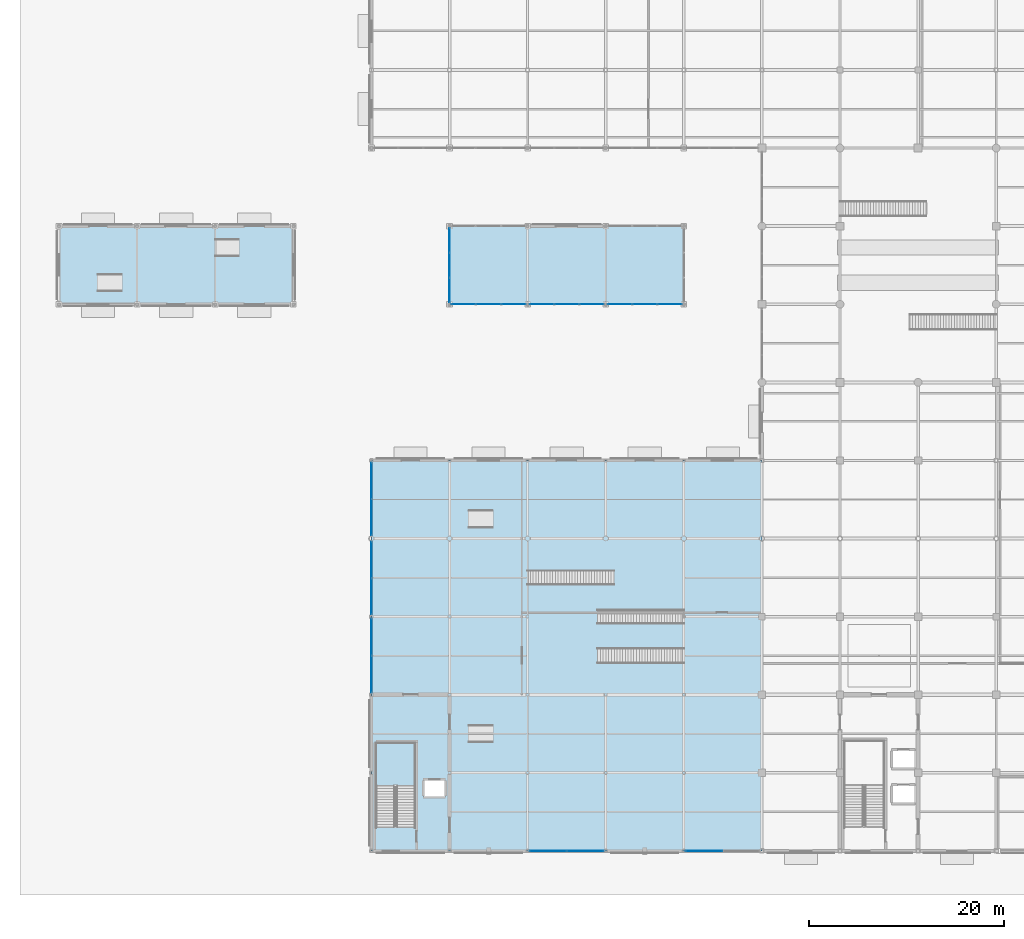
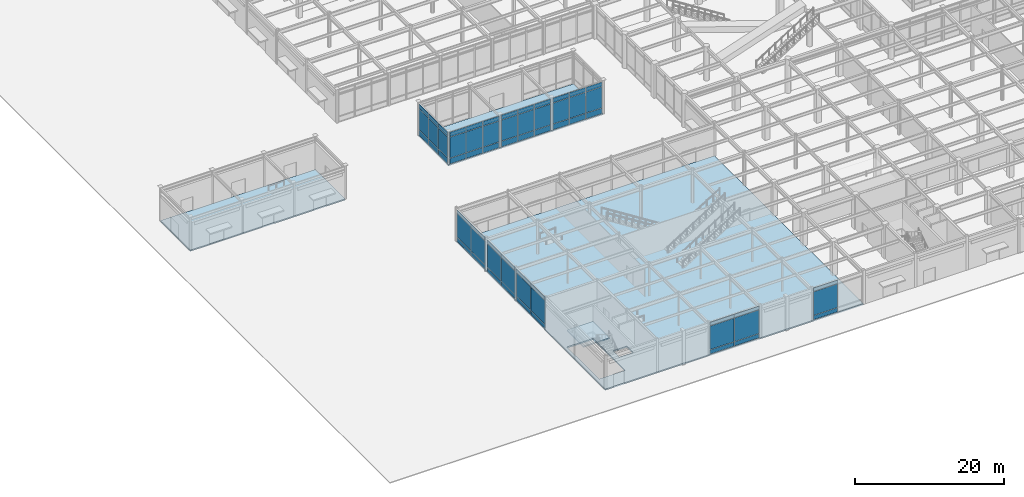
# One storey, part 94 of 128: 63 plates, 4 slabs, 10 elements without a shape of their own.
"""IFC4 building model written with IfcOpenShell, lengths in metres."""

from ifc_helpers import new_model, si_unit, direction, frame, origin, origin_2d, place, context, subcontext, project, spatial, polyline, rectangle, outline, extrude, material, layer, layer_set, type_object, element, aggregate, save


model = new_model("IFC4")

# Units and contexts
model_context = context("Model", 3, precision=1e-05, world=origin(), true_north=direction((0.0, 1.0)))
body_context = subcontext(model_context, "Body", "Model", "MODEL_VIEW")
ifc_project = project(units=[si_unit("LENGTHUNIT", "METRE"), si_unit("AREAUNIT", "SQUARE_METRE"), si_unit("VOLUMEUNIT", "CUBIC_METRE"), si_unit("PLANEANGLEUNIT", "RADIAN"), si_unit("MASSUNIT", "GRAM", prefix="KILO")], contexts=[model_context])

# Site, building, storey
site_placement = place(None, origin())
site = spatial("IfcSite", under=ifc_project, at=site_placement, CompositionType="ELEMENT")
building_placement = place(site_placement, origin())
building = spatial("IfcBuilding", under=site, at=building_placement, Name="Solmirada Galleria", CompositionType="ELEMENT")
storey_placement = place(building_placement, origin())
storey = spatial("IfcBuildingStorey", under=building, at=storey_placement, Name="L00", CompositionType="ELEMENT", Elevation=0.0)

# Curtain wall, plates
ifc_material_1 = material(Name="Impact-resistant low-E double glazing", Category="glass")
curtain_wall_type_1 = type_object("IfcCurtainWallType", Name="CW-FZ5-L00-B3-L077", PredefinedType="NOTDEFINED", material=ifc_material_1)
curtain_wall_1_placement = place(storey_placement, origin())
curtain_wall_1 = element("IfcCurtainWall", 1, at=curtain_wall_1_placement, inside=storey, type_object=curtain_wall_type_1, Name="Terrace and arcade storefront CW-L00-032", PredefinedType="NOTDEFINED")
ifc_layer_1 = layer(ifc_material_1, 0.048095703125)
ifc_layer_set_1 = layer_set([ifc_layer_1], Name="Impact-resistant low-E double glazing")
plate_type_1 = type_object("IfcPlateType", Name="CW-PNL-CW08-T48", PredefinedType="CURTAIN_PANEL", material=ifc_layer_set_1)
plate_1_placement = place(storey_placement, frame((70.563232421875, 56.0, 0.06494140625), z_axis=(0.0, 0.0, 1.0), x_axis=(-1.0, 0.0, 0.0)))
plate_1 = element("IfcPlate", 2, at=plate_1_placement, type_object=plate_type_1, Name="CW08 panel 1.1", PredefinedType="CURTAIN_PANEL", context=body_context, shape_type="SweptSolid", body=[
    extrude(rectangle(XDim=2.4755859375, YDim=0.048095703125, at=origin_2d()), origin(), (0.0, 0.0, 1.0), 0.902587890625),
])
plate_2_placement = place(storey_placement, frame((70.563232421875, 56.0, 1.032470703125), z_axis=(0.0, 0.0, 1.0), x_axis=(-1.0, 0.0, 0.0)))
plate_2 = element("IfcPlate", 3, at=plate_2_placement, type_object=plate_type_1, Name="CW08 panel 1.2", PredefinedType="CURTAIN_PANEL", context=body_context, shape_type="SweptSolid", body=[
    extrude(rectangle(XDim=2.4755859375, YDim=0.048095703125, at=origin_2d()), origin(), (0.0, 0.0, 1.0), 3.39501953125),
])
plate_3_placement = place(storey_placement, frame((70.563232421875, 56.0, 4.49267578125), z_axis=(0.0, 0.0, 1.0), x_axis=(-1.0, 0.0, 0.0)))
plate_3 = element("IfcPlate", 4, at=plate_3_placement, type_object=plate_type_1, Name="CW08 panel 1.3", PredefinedType="CURTAIN_PANEL", context=body_context, shape_type="SweptSolid", body=[
    extrude(rectangle(XDim=2.4755859375, YDim=0.048095703125, at=origin_2d()), origin(), (0.0, 0.0, 1.0), 0.762451171875),
])
plate_4_placement = place(storey_placement, frame((68.0, 56.0, 0.06494140625), z_axis=(0.0, 0.0, 1.0), x_axis=(-1.0, 0.0, 0.0)))
plate_4 = element("IfcPlate", 5, at=plate_4_placement, type_object=plate_type_1, Name="CW08 panel 2.1", PredefinedType="CURTAIN_PANEL", context=body_context, shape_type="SweptSolid", body=[
    extrude(rectangle(XDim=2.5107421875, YDim=0.048095703125, at=origin_2d()), origin(), (0.0, 0.0, 1.0), 0.902587890625),
])
plate_5_placement = place(storey_placement, frame((68.0, 56.0, 1.032470703125), z_axis=(0.0, 0.0, 1.0), x_axis=(-1.0, 0.0, 0.0)))
plate_5 = element("IfcPlate", 6, at=plate_5_placement, type_object=plate_type_1, Name="CW08 panel 2.2", PredefinedType="CURTAIN_PANEL", context=body_context, shape_type="SweptSolid", body=[
    extrude(rectangle(XDim=2.5107421875, YDim=0.048095703125, at=origin_2d()), origin(), (0.0, 0.0, 1.0), 3.39501953125),
])
plate_6_placement = place(storey_placement, frame((68.0, 56.0, 4.49267578125), z_axis=(0.0, 0.0, 1.0), x_axis=(-1.0, 0.0, 0.0)))
plate_6 = element("IfcPlate", 7, at=plate_6_placement, type_object=plate_type_1, Name="CW08 panel 2.3", PredefinedType="CURTAIN_PANEL", context=body_context, shape_type="SweptSolid", body=[
    extrude(rectangle(XDim=2.5107421875, YDim=0.048095703125, at=origin_2d()), origin(), (0.0, 0.0, 1.0), 0.762451171875),
])
plate_7_placement = place(storey_placement, frame((65.436767578125, 56.0, 0.06494140625), z_axis=(0.0, 0.0, 1.0), x_axis=(-1.0, 0.0, 0.0)))
plate_7 = element("IfcPlate", 8, at=plate_7_placement, type_object=plate_type_1, Name="CW08 panel 3.1", PredefinedType="CURTAIN_PANEL", context=body_context, shape_type="SweptSolid", body=[
    extrude(rectangle(XDim=2.4755859375, YDim=0.048095703125, at=origin_2d()), origin(), (0.0, 0.0, 1.0), 0.902587890625),
])
plate_8_placement = place(storey_placement, frame((65.436767578125, 56.0, 1.032470703125), z_axis=(0.0, 0.0, 1.0), x_axis=(-1.0, 0.0, 0.0)))
plate_8 = element("IfcPlate", 9, at=plate_8_placement, type_object=plate_type_1, Name="CW08 panel 3.2", PredefinedType="CURTAIN_PANEL", context=body_context, shape_type="SweptSolid", body=[
    extrude(rectangle(XDim=2.4755859375, YDim=0.048095703125, at=origin_2d()), origin(), (0.0, 0.0, 1.0), 3.39501953125),
])
plate_9_placement = place(storey_placement, frame((65.436767578125, 56.0, 4.49267578125), z_axis=(0.0, 0.0, 1.0), x_axis=(-1.0, 0.0, 0.0)))
plate_9 = element("IfcPlate", 10, at=plate_9_placement, type_object=plate_type_1, Name="CW08 panel 3.3", PredefinedType="CURTAIN_PANEL", context=body_context, shape_type="SweptSolid", body=[
    extrude(rectangle(XDim=2.4755859375, YDim=0.048095703125, at=origin_2d()), origin(), (0.0, 0.0, 1.0), 0.762451171875),
])
aggregate(curtain_wall_1, [plate_1, plate_2, plate_3, plate_4, plate_5, plate_6, plate_7, plate_8, plate_9])

curtain_wall_2_placement = place(storey_placement, origin())
curtain_wall_2 = element("IfcCurtainWall", 11, at=curtain_wall_2_placement, inside=storey, type_object=curtain_wall_type_1, Name="Terrace and arcade storefront CW-L00-033", PredefinedType="NOTDEFINED")
plate_10_placement = place(storey_placement, frame((62.563232421875, 56.0, 0.06494140625), z_axis=(0.0, 0.0, 1.0), x_axis=(-1.0, 0.0, 0.0)))
plate_10 = element("IfcPlate", 12, at=plate_10_placement, type_object=plate_type_1, Name="CW08 panel 1.1", PredefinedType="CURTAIN_PANEL", context=body_context, shape_type="SweptSolid", body=[
    extrude(rectangle(XDim=2.4755859375, YDim=0.048095703125, at=origin_2d()), origin(), (0.0, 0.0, 1.0), 0.902587890625),
])
plate_11_placement = place(storey_placement, frame((62.563232421875, 56.0, 1.032470703125), z_axis=(0.0, 0.0, 1.0), x_axis=(-1.0, 0.0, 0.0)))
plate_11 = element("IfcPlate", 13, at=plate_11_placement, type_object=plate_type_1, Name="CW08 panel 1.2", PredefinedType="CURTAIN_PANEL", context=body_context, shape_type="SweptSolid", body=[
    extrude(rectangle(XDim=2.4755859375, YDim=0.048095703125, at=origin_2d()), origin(), (0.0, 0.0, 1.0), 3.39501953125),
])
plate_12_placement = place(storey_placement, frame((62.563232421875, 56.0, 4.49267578125), z_axis=(0.0, 0.0, 1.0), x_axis=(-1.0, 0.0, 0.0)))
plate_12 = element("IfcPlate", 14, at=plate_12_placement, type_object=plate_type_1, Name="CW08 panel 1.3", PredefinedType="CURTAIN_PANEL", context=body_context, shape_type="SweptSolid", body=[
    extrude(rectangle(XDim=2.4755859375, YDim=0.048095703125, at=origin_2d()), origin(), (0.0, 0.0, 1.0), 0.762451171875),
])
plate_13_placement = place(storey_placement, frame((60.0, 56.0, 0.06494140625), z_axis=(0.0, 0.0, 1.0), x_axis=(-1.0, 0.0, 0.0)))
plate_13 = element("IfcPlate", 15, at=plate_13_placement, type_object=plate_type_1, Name="CW08 panel 2.1", PredefinedType="CURTAIN_PANEL", context=body_context, shape_type="SweptSolid", body=[
    extrude(rectangle(XDim=2.5107421875, YDim=0.048095703125, at=origin_2d()), origin(), (0.0, 0.0, 1.0), 0.902587890625),
])
plate_14_placement = place(storey_placement, frame((60.0, 56.0, 1.032470703125), z_axis=(0.0, 0.0, 1.0), x_axis=(-1.0, 0.0, 0.0)))
plate_14 = element("IfcPlate", 16, at=plate_14_placement, type_object=plate_type_1, Name="CW08 panel 2.2", PredefinedType="CURTAIN_PANEL", context=body_context, shape_type="SweptSolid", body=[
    extrude(rectangle(XDim=2.5107421875, YDim=0.048095703125, at=origin_2d()), origin(), (0.0, 0.0, 1.0), 3.39501953125),
])
plate_15_placement = place(storey_placement, frame((60.0, 56.0, 4.49267578125), z_axis=(0.0, 0.0, 1.0), x_axis=(-1.0, 0.0, 0.0)))
plate_15 = element("IfcPlate", 17, at=plate_15_placement, type_object=plate_type_1, Name="CW08 panel 2.3", PredefinedType="CURTAIN_PANEL", context=body_context, shape_type="SweptSolid", body=[
    extrude(rectangle(XDim=2.5107421875, YDim=0.048095703125, at=origin_2d()), origin(), (0.0, 0.0, 1.0), 0.762451171875),
])
plate_16_placement = place(storey_placement, frame((57.436767578125, 56.0, 0.06494140625), z_axis=(0.0, 0.0, 1.0), x_axis=(-1.0, 0.0, 0.0)))
plate_16 = element("IfcPlate", 18, at=plate_16_placement, type_object=plate_type_1, Name="CW08 panel 3.1", PredefinedType="CURTAIN_PANEL", context=body_context, shape_type="SweptSolid", body=[
    extrude(rectangle(XDim=2.4755859375, YDim=0.048095703125, at=origin_2d()), origin(), (0.0, 0.0, 1.0), 0.902587890625),
])
plate_17_placement = place(storey_placement, frame((57.436767578125, 56.0, 1.032470703125), z_axis=(0.0, 0.0, 1.0), x_axis=(-1.0, 0.0, 0.0)))
plate_17 = element("IfcPlate", 19, at=plate_17_placement, type_object=plate_type_1, Name="CW08 panel 3.2", PredefinedType="CURTAIN_PANEL", context=body_context, shape_type="SweptSolid", body=[
    extrude(rectangle(XDim=2.4755859375, YDim=0.048095703125, at=origin_2d()), origin(), (0.0, 0.0, 1.0), 3.39501953125),
])
plate_18_placement = place(storey_placement, frame((57.436767578125, 56.0, 4.49267578125), z_axis=(0.0, 0.0, 1.0), x_axis=(-1.0, 0.0, 0.0)))
plate_18 = element("IfcPlate", 20, at=plate_18_placement, type_object=plate_type_1, Name="CW08 panel 3.3", PredefinedType="CURTAIN_PANEL", context=body_context, shape_type="SweptSolid", body=[
    extrude(rectangle(XDim=2.4755859375, YDim=0.048095703125, at=origin_2d()), origin(), (0.0, 0.0, 1.0), 0.762451171875),
])
aggregate(curtain_wall_2, [plate_10, plate_11, plate_12, plate_13, plate_14, plate_15, plate_16, plate_17, plate_18])

curtain_wall_3_placement = place(storey_placement, origin())
curtain_wall_3 = element("IfcCurtainWall", 21, at=curtain_wall_3_placement, inside=storey, type_object=curtain_wall_type_1, Name="Terrace and arcade storefront CW-L00-034", PredefinedType="NOTDEFINED")
plate_19_placement = place(storey_placement, frame((54.563232421875, 56.0, 0.06494140625), z_axis=(0.0, 0.0, 1.0), x_axis=(-1.0, 0.0, 0.0)))
plate_19 = element("IfcPlate", 22, at=plate_19_placement, type_object=plate_type_1, Name="CW08 panel 1.1", PredefinedType="CURTAIN_PANEL", context=body_context, shape_type="SweptSolid", body=[
    extrude(rectangle(XDim=2.4755859375, YDim=0.048095703125, at=origin_2d()), origin(), (0.0, 0.0, 1.0), 0.902587890625),
])
plate_20_placement = place(storey_placement, frame((54.563232421875, 56.0, 1.032470703125), z_axis=(0.0, 0.0, 1.0), x_axis=(-1.0, 0.0, 0.0)))
plate_20 = element("IfcPlate", 23, at=plate_20_placement, type_object=plate_type_1, Name="CW08 panel 1.2", PredefinedType="CURTAIN_PANEL", context=body_context, shape_type="SweptSolid", body=[
    extrude(rectangle(XDim=2.4755859375, YDim=0.048095703125, at=origin_2d()), origin(), (0.0, 0.0, 1.0), 3.39501953125),
])
plate_21_placement = place(storey_placement, frame((54.563232421875, 56.0, 4.49267578125), z_axis=(0.0, 0.0, 1.0), x_axis=(-1.0, 0.0, 0.0)))
plate_21 = element("IfcPlate", 24, at=plate_21_placement, type_object=plate_type_1, Name="CW08 panel 1.3", PredefinedType="CURTAIN_PANEL", context=body_context, shape_type="SweptSolid", body=[
    extrude(rectangle(XDim=2.4755859375, YDim=0.048095703125, at=origin_2d()), origin(), (0.0, 0.0, 1.0), 0.762451171875),
])
plate_22_placement = place(storey_placement, frame((52.0, 56.0, 0.06494140625), z_axis=(0.0, 0.0, 1.0), x_axis=(-1.0, 0.0, 0.0)))
plate_22 = element("IfcPlate", 25, at=plate_22_placement, type_object=plate_type_1, Name="CW08 panel 2.1", PredefinedType="CURTAIN_PANEL", context=body_context, shape_type="SweptSolid", body=[
    extrude(rectangle(XDim=2.5107421875, YDim=0.048095703125, at=origin_2d()), origin(), (0.0, 0.0, 1.0), 0.902587890625),
])
plate_23_placement = place(storey_placement, frame((52.0, 56.0, 1.032470703125), z_axis=(0.0, 0.0, 1.0), x_axis=(-1.0, 0.0, 0.0)))
plate_23 = element("IfcPlate", 26, at=plate_23_placement, type_object=plate_type_1, Name="CW08 panel 2.2", PredefinedType="CURTAIN_PANEL", context=body_context, shape_type="SweptSolid", body=[
    extrude(rectangle(XDim=2.5107421875, YDim=0.048095703125, at=origin_2d()), origin(), (0.0, 0.0, 1.0), 3.39501953125),
])
plate_24_placement = place(storey_placement, frame((52.0, 56.0, 4.49267578125), z_axis=(0.0, 0.0, 1.0), x_axis=(-1.0, 0.0, 0.0)))
plate_24 = element("IfcPlate", 27, at=plate_24_placement, type_object=plate_type_1, Name="CW08 panel 2.3", PredefinedType="CURTAIN_PANEL", context=body_context, shape_type="SweptSolid", body=[
    extrude(rectangle(XDim=2.5107421875, YDim=0.048095703125, at=origin_2d()), origin(), (0.0, 0.0, 1.0), 0.762451171875),
])
plate_25_placement = place(storey_placement, frame((49.436767578125, 56.0, 0.06494140625), z_axis=(0.0, 0.0, 1.0), x_axis=(-1.0, 0.0, 0.0)))
plate_25 = element("IfcPlate", 28, at=plate_25_placement, type_object=plate_type_1, Name="CW08 panel 3.1", PredefinedType="CURTAIN_PANEL", context=body_context, shape_type="SweptSolid", body=[
    extrude(rectangle(XDim=2.4755859375, YDim=0.048095703125, at=origin_2d()), origin(), (0.0, 0.0, 1.0), 0.902587890625),
])
plate_26_placement = place(storey_placement, frame((49.436767578125, 56.0, 1.032470703125), z_axis=(0.0, 0.0, 1.0), x_axis=(-1.0, 0.0, 0.0)))
plate_26 = element("IfcPlate", 29, at=plate_26_placement, type_object=plate_type_1, Name="CW08 panel 3.2", PredefinedType="CURTAIN_PANEL", context=body_context, shape_type="SweptSolid", body=[
    extrude(rectangle(XDim=2.4755859375, YDim=0.048095703125, at=origin_2d()), origin(), (0.0, 0.0, 1.0), 3.39501953125),
])
plate_27_placement = place(storey_placement, frame((49.436767578125, 56.0, 4.49267578125), z_axis=(0.0, 0.0, 1.0), x_axis=(-1.0, 0.0, 0.0)))
plate_27 = element("IfcPlate", 30, at=plate_27_placement, type_object=plate_type_1, Name="CW08 panel 3.3", PredefinedType="CURTAIN_PANEL", context=body_context, shape_type="SweptSolid", body=[
    extrude(rectangle(XDim=2.4755859375, YDim=0.048095703125, at=origin_2d()), origin(), (0.0, 0.0, 1.0), 0.762451171875),
])
aggregate(curtain_wall_3, [plate_19, plate_20, plate_21, plate_22, plate_23, plate_24, plate_25, plate_26, plate_27])

curtain_wall_4_placement = place(storey_placement, origin())
curtain_wall_4 = element("IfcCurtainWall", 31, at=curtain_wall_4_placement, inside=storey, type_object=curtain_wall_type_1, Name="Terrace and arcade storefront CW-L00-035", PredefinedType="NOTDEFINED")
plate_28_placement = place(storey_placement, frame((48.0, 57.436767578125, 0.06494140625), z_axis=(0.0, 0.0, 1.0), x_axis=(0.0, 1.0, 0.0)))
plate_28 = element("IfcPlate", 32, at=plate_28_placement, type_object=plate_type_1, Name="CW08 panel 1.1", PredefinedType="CURTAIN_PANEL", context=body_context, shape_type="SweptSolid", body=[
    extrude(rectangle(XDim=2.4755859375, YDim=0.048095703125, at=origin_2d()), origin(), (0.0, 0.0, 1.0), 0.902587890625),
])
plate_29_placement = place(storey_placement, frame((48.0, 57.436767578125, 1.032470703125), z_axis=(0.0, 0.0, 1.0), x_axis=(0.0, 1.0, 0.0)))
plate_29 = element("IfcPlate", 33, at=plate_29_placement, type_object=plate_type_1, Name="CW08 panel 1.2", PredefinedType="CURTAIN_PANEL", context=body_context, shape_type="SweptSolid", body=[
    extrude(rectangle(XDim=2.4755859375, YDim=0.048095703125, at=origin_2d()), origin(), (0.0, 0.0, 1.0), 3.39501953125),
])
plate_30_placement = place(storey_placement, frame((48.0, 57.436767578125, 4.49267578125), z_axis=(0.0, 0.0, 1.0), x_axis=(0.0, 1.0, 0.0)))
plate_30 = element("IfcPlate", 34, at=plate_30_placement, type_object=plate_type_1, Name="CW08 panel 1.3", PredefinedType="CURTAIN_PANEL", context=body_context, shape_type="SweptSolid", body=[
    extrude(rectangle(XDim=2.4755859375, YDim=0.048095703125, at=origin_2d()), origin(), (0.0, 0.0, 1.0), 0.762451171875),
])
plate_31_placement = place(storey_placement, frame((48.0, 60.0, 0.06494140625), z_axis=(0.0, 0.0, 1.0), x_axis=(0.0, 1.0, 0.0)))
plate_31 = element("IfcPlate", 35, at=plate_31_placement, type_object=plate_type_1, Name="CW08 panel 2.1", PredefinedType="CURTAIN_PANEL", context=body_context, shape_type="SweptSolid", body=[
    extrude(rectangle(XDim=2.5107421875, YDim=0.048095703125, at=origin_2d()), origin(), (0.0, 0.0, 1.0), 0.902587890625),
])
plate_32_placement = place(storey_placement, frame((48.0, 60.0, 1.032470703125), z_axis=(0.0, 0.0, 1.0), x_axis=(0.0, 1.0, 0.0)))
plate_32 = element("IfcPlate", 36, at=plate_32_placement, type_object=plate_type_1, Name="CW08 panel 2.2", PredefinedType="CURTAIN_PANEL", context=body_context, shape_type="SweptSolid", body=[
    extrude(rectangle(XDim=2.5107421875, YDim=0.048095703125, at=origin_2d()), origin(), (0.0, 0.0, 1.0), 3.39501953125),
])
plate_33_placement = place(storey_placement, frame((48.0, 60.0, 4.49267578125), z_axis=(0.0, 0.0, 1.0), x_axis=(0.0, 1.0, 0.0)))
plate_33 = element("IfcPlate", 37, at=plate_33_placement, type_object=plate_type_1, Name="CW08 panel 2.3", PredefinedType="CURTAIN_PANEL", context=body_context, shape_type="SweptSolid", body=[
    extrude(rectangle(XDim=2.5107421875, YDim=0.048095703125, at=origin_2d()), origin(), (0.0, 0.0, 1.0), 0.762451171875),
])
plate_34_placement = place(storey_placement, frame((48.0, 62.563232421875, 0.06494140625), z_axis=(0.0, 0.0, 1.0), x_axis=(0.0, 1.0, 0.0)))
plate_34 = element("IfcPlate", 38, at=plate_34_placement, type_object=plate_type_1, Name="CW08 panel 3.1", PredefinedType="CURTAIN_PANEL", context=body_context, shape_type="SweptSolid", body=[
    extrude(rectangle(XDim=2.4755859375, YDim=0.048095703125, at=origin_2d()), origin(), (0.0, 0.0, 1.0), 0.902587890625),
])
plate_35_placement = place(storey_placement, frame((48.0, 62.563232421875, 1.032470703125), z_axis=(0.0, 0.0, 1.0), x_axis=(0.0, 1.0, 0.0)))
plate_35 = element("IfcPlate", 39, at=plate_35_placement, type_object=plate_type_1, Name="CW08 panel 3.2", PredefinedType="CURTAIN_PANEL", context=body_context, shape_type="SweptSolid", body=[
    extrude(rectangle(XDim=2.4755859375, YDim=0.048095703125, at=origin_2d()), origin(), (0.0, 0.0, 1.0), 3.39501953125),
])
plate_36_placement = place(storey_placement, frame((48.0, 62.563232421875, 4.49267578125), z_axis=(0.0, 0.0, 1.0), x_axis=(0.0, 1.0, 0.0)))
plate_36 = element("IfcPlate", 40, at=plate_36_placement, type_object=plate_type_1, Name="CW08 panel 3.3", PredefinedType="CURTAIN_PANEL", context=body_context, shape_type="SweptSolid", body=[
    extrude(rectangle(XDim=2.4755859375, YDim=0.048095703125, at=origin_2d()), origin(), (0.0, 0.0, 1.0), 0.762451171875),
])
aggregate(curtain_wall_4, [plate_28, plate_29, plate_30, plate_31, plate_32, plate_33, plate_34, plate_35, plate_36])

curtain_wall_type_2 = type_object("IfcCurtainWallType", Name="CW-FZ1-L00-B2-L076", PredefinedType="NOTDEFINED", material=ifc_material_1)
curtain_wall_5_placement = place(storey_placement, origin())
curtain_wall_5 = element("IfcCurtainWall", 41, at=curtain_wall_5_placement, inside=storey, type_object=curtain_wall_type_2, Name="Terrace and arcade storefront CW-L00-026", PredefinedType="NOTDEFINED")
ifc_layer_2 = layer(ifc_material_1, 0.02392578125)
ifc_layer_set_2 = layer_set([ifc_layer_2], Name="Impact-resistant low-E double glazing")
plate_type_2 = type_object("IfcPlateType", Name="CW-PNL-CW10-T24", PredefinedType="CURTAIN_PANEL", material=ifc_layer_set_2)
plate_37_placement = place(storey_placement, frame((74.08203125, 0.0, 0.06494140625), z_axis=(0.0, 0.0, 1.0), x_axis=(-1.0, 0.0, 0.0)))
plate_37 = element("IfcPlate", 42, at=plate_37_placement, type_object=plate_type_2, Name="CW10 panel 2.1", PredefinedType="CURTAIN_PANEL", context=body_context, shape_type="SweptSolid", body=[
    extrude(rectangle(XDim=3.71533203125, YDim=0.02392578125, at=origin_2d()), origin(), (0.0, 0.0, 1.0), 0.66259765625),
])
plate_38_placement = place(storey_placement, frame((74.08203125, 0.0, 0.79248046875), z_axis=(0.0, 0.0, 1.0), x_axis=(-1.0, 0.0, 0.0)))
plate_38 = element("IfcPlate", 43, at=plate_38_placement, type_object=plate_type_2, Name="CW10 panel 2.2", PredefinedType="CURTAIN_PANEL", context=body_context, shape_type="SweptSolid", body=[
    extrude(rectangle(XDim=3.71533203125, YDim=0.02392578125, at=origin_2d()), origin(), (0.0, 0.0, 1.0), 3.8349609375),
])
plate_39_placement = place(storey_placement, frame((74.08203125, 0.0, 4.6923828125), z_axis=(0.0, 0.0, 1.0), x_axis=(-1.0, 0.0, 0.0)))
plate_39 = element("IfcPlate", 44, at=plate_39_placement, type_object=plate_type_2, Name="CW10 panel 2.3", PredefinedType="CURTAIN_PANEL", context=body_context, shape_type="SweptSolid", body=[
    extrude(rectangle(XDim=3.71533203125, YDim=0.02392578125, at=origin_2d()), origin(), (0.0, 0.0, 1.0), 0.5625),
])
aggregate(curtain_wall_5, [plate_37, plate_38, plate_39])

curtain_wall_6_placement = place(storey_placement, origin())
curtain_wall_6 = element("IfcCurtainWall", 45, at=curtain_wall_6_placement, inside=storey, type_object=curtain_wall_type_2, Name="Terrace and arcade storefront CW-L00-029", PredefinedType="NOTDEFINED")
plate_40_placement = place(storey_placement, frame((40.0, 26.0693359375, 0.06494140625), z_axis=(0.0, 0.0, 1.0), x_axis=(0.0, 1.0, 0.0)))
plate_40 = element("IfcPlate", 46, at=plate_40_placement, type_object=plate_type_2, Name="CW10 panel 1.1", PredefinedType="CURTAIN_PANEL", context=body_context, shape_type="SweptSolid", body=[
    extrude(rectangle(XDim=3.689697265625, YDim=0.02392578125, at=origin_2d()), origin(), (0.0, 0.0, 1.0), 0.66259765625),
])
plate_41_placement = place(storey_placement, frame((40.0, 26.0693359375, 0.79248046875), z_axis=(0.0, 0.0, 1.0), x_axis=(0.0, 1.0, 0.0)))
plate_41 = element("IfcPlate", 47, at=plate_41_placement, type_object=plate_type_2, Name="CW10 panel 1.2", PredefinedType="CURTAIN_PANEL", context=body_context, shape_type="SweptSolid", body=[
    extrude(rectangle(XDim=3.689697265625, YDim=0.02392578125, at=origin_2d()), origin(), (0.0, 0.0, 1.0), 3.8349609375),
])
plate_42_placement = place(storey_placement, frame((40.0, 26.0693359375, 4.6923828125), z_axis=(0.0, 0.0, 1.0), x_axis=(0.0, 1.0, 0.0)))
plate_42 = element("IfcPlate", 48, at=plate_42_placement, type_object=plate_type_2, Name="CW10 panel 1.3", PredefinedType="CURTAIN_PANEL", context=body_context, shape_type="SweptSolid", body=[
    extrude(rectangle(XDim=3.689697265625, YDim=0.02392578125, at=origin_2d()), origin(), (0.0, 0.0, 1.0), 0.5625),
])
plate_43_placement = place(storey_placement, frame((40.0, 29.8291015625, 0.06494140625), z_axis=(0.0, 0.0, 1.0), x_axis=(0.0, 1.0, 0.0)))
plate_43 = element("IfcPlate", 49, at=plate_43_placement, type_object=plate_type_2, Name="CW10 panel 2.1", PredefinedType="CURTAIN_PANEL", context=body_context, shape_type="SweptSolid", body=[
    extrude(rectangle(XDim=3.689697265625, YDim=0.02392578125, at=origin_2d()), origin(), (0.0, 0.0, 1.0), 0.66259765625),
])
plate_44_placement = place(storey_placement, frame((40.0, 29.8291015625, 0.79248046875), z_axis=(0.0, 0.0, 1.0), x_axis=(0.0, 1.0, 0.0)))
plate_44 = element("IfcPlate", 50, at=plate_44_placement, type_object=plate_type_2, Name="CW10 panel 2.2", PredefinedType="CURTAIN_PANEL", context=body_context, shape_type="SweptSolid", body=[
    extrude(rectangle(XDim=3.689697265625, YDim=0.02392578125, at=origin_2d()), origin(), (0.0, 0.0, 1.0), 3.8349609375),
])
plate_45_placement = place(storey_placement, frame((40.0, 29.8291015625, 4.6923828125), z_axis=(0.0, 0.0, 1.0), x_axis=(0.0, 1.0, 0.0)))
plate_45 = element("IfcPlate", 51, at=plate_45_placement, type_object=plate_type_2, Name="CW10 panel 2.3", PredefinedType="CURTAIN_PANEL", context=body_context, shape_type="SweptSolid", body=[
    extrude(rectangle(XDim=3.689697265625, YDim=0.02392578125, at=origin_2d()), origin(), (0.0, 0.0, 1.0), 0.5625),
])
aggregate(curtain_wall_6, [plate_40, plate_41, plate_42, plate_43, plate_44, plate_45])

curtain_wall_7_placement = place(storey_placement, origin())
curtain_wall_7 = element("IfcCurtainWall", 52, at=curtain_wall_7_placement, inside=storey, type_object=curtain_wall_type_2, Name="Terrace and arcade storefront CW-L00-030", PredefinedType="NOTDEFINED")
plate_46_placement = place(storey_placement, frame((40.0, 34.1708984375, 0.06494140625), z_axis=(0.0, 0.0, 1.0), x_axis=(0.0, 1.0, 0.0)))
plate_46 = element("IfcPlate", 53, at=plate_46_placement, type_object=plate_type_2, Name="CW10 panel 1.1", PredefinedType="CURTAIN_PANEL", context=body_context, shape_type="SweptSolid", body=[
    extrude(rectangle(XDim=3.689697265625, YDim=0.02392578125, at=origin_2d()), origin(), (0.0, 0.0, 1.0), 0.66259765625),
])
plate_47_placement = place(storey_placement, frame((40.0, 34.1708984375, 0.79248046875), z_axis=(0.0, 0.0, 1.0), x_axis=(0.0, 1.0, 0.0)))
plate_47 = element("IfcPlate", 54, at=plate_47_placement, type_object=plate_type_2, Name="CW10 panel 1.2", PredefinedType="CURTAIN_PANEL", context=body_context, shape_type="SweptSolid", body=[
    extrude(rectangle(XDim=3.689697265625, YDim=0.02392578125, at=origin_2d()), origin(), (0.0, 0.0, 1.0), 3.8349609375),
])
plate_48_placement = place(storey_placement, frame((40.0, 34.1708984375, 4.6923828125), z_axis=(0.0, 0.0, 1.0), x_axis=(0.0, 1.0, 0.0)))
plate_48 = element("IfcPlate", 55, at=plate_48_placement, type_object=plate_type_2, Name="CW10 panel 1.3", PredefinedType="CURTAIN_PANEL", context=body_context, shape_type="SweptSolid", body=[
    extrude(rectangle(XDim=3.689697265625, YDim=0.02392578125, at=origin_2d()), origin(), (0.0, 0.0, 1.0), 0.5625),
])
plate_49_placement = place(storey_placement, frame((40.0, 37.9306640625, 0.06494140625), z_axis=(0.0, 0.0, 1.0), x_axis=(0.0, 1.0, 0.0)))
plate_49 = element("IfcPlate", 56, at=plate_49_placement, type_object=plate_type_2, Name="CW10 panel 2.1", PredefinedType="CURTAIN_PANEL", context=body_context, shape_type="SweptSolid", body=[
    extrude(rectangle(XDim=3.689697265625, YDim=0.02392578125, at=origin_2d()), origin(), (0.0, 0.0, 1.0), 0.66259765625),
])
plate_50_placement = place(storey_placement, frame((40.0, 37.9306640625, 0.79248046875), z_axis=(0.0, 0.0, 1.0), x_axis=(0.0, 1.0, 0.0)))
plate_50 = element("IfcPlate", 57, at=plate_50_placement, type_object=plate_type_2, Name="CW10 panel 2.2", PredefinedType="CURTAIN_PANEL", context=body_context, shape_type="SweptSolid", body=[
    extrude(rectangle(XDim=3.689697265625, YDim=0.02392578125, at=origin_2d()), origin(), (0.0, 0.0, 1.0), 3.8349609375),
])
plate_51_placement = place(storey_placement, frame((40.0, 37.9306640625, 4.6923828125), z_axis=(0.0, 0.0, 1.0), x_axis=(0.0, 1.0, 0.0)))
plate_51 = element("IfcPlate", 58, at=plate_51_placement, type_object=plate_type_2, Name="CW10 panel 2.3", PredefinedType="CURTAIN_PANEL", context=body_context, shape_type="SweptSolid", body=[
    extrude(rectangle(XDim=3.689697265625, YDim=0.02392578125, at=origin_2d()), origin(), (0.0, 0.0, 1.0), 0.5625),
])
aggregate(curtain_wall_7, [plate_46, plate_47, plate_48, plate_49, plate_50, plate_51])

curtain_wall_type_3 = type_object("IfcCurtainWallType", Name="CW-FZ1-L00-B2-L077", PredefinedType="NOTDEFINED", material=ifc_material_1)
curtain_wall_8_placement = place(storey_placement, origin())
curtain_wall_8 = element("IfcCurtainWall", 59, at=curtain_wall_8_placement, inside=storey, type_object=curtain_wall_type_3, Name="Terrace and arcade storefront CW-L00-027", PredefinedType="NOTDEFINED")
ifc_layer_3 = layer(ifc_material_1, 0.028076171875)
ifc_layer_set_3 = layer_set([ifc_layer_3], Name="Impact-resistant low-E double glazing")
plate_type_3 = type_object("IfcPlateType", Name="CW-PNL-CW11-T28", PredefinedType="CURTAIN_PANEL", material=ifc_layer_set_3)
plate_52_placement = place(storey_placement, frame((61.9052734375, 0.0, 0.06494140625), z_axis=(0.0, 0.0, 1.0), x_axis=(-1.0, 0.0, 0.0)))
plate_52 = element("IfcPlate", 60, at=plate_52_placement, type_object=plate_type_3, Name="CW11 panel 1.1", PredefinedType="CURTAIN_PANEL", context=body_context, shape_type="SweptSolid", body=[
    extrude(rectangle(XDim=3.740478515625, YDim=0.028076171875, at=origin_2d()), origin(), (0.0, 0.0, 1.0), 0.66259765625),
])
plate_53_placement = place(storey_placement, frame((61.9052734375, 0.0, 0.79248046875), z_axis=(0.0, 0.0, 1.0), x_axis=(-1.0, 0.0, 0.0)))
plate_53 = element("IfcPlate", 61, at=plate_53_placement, type_object=plate_type_3, Name="CW11 panel 1.2", PredefinedType="CURTAIN_PANEL", context=body_context, shape_type="SweptSolid", body=[
    extrude(rectangle(XDim=3.740478515625, YDim=0.028076171875, at=origin_2d()), origin(), (0.0, 0.0, 1.0), 3.8349609375),
])
plate_54_placement = place(storey_placement, frame((61.9052734375, 0.0, 4.6923828125), z_axis=(0.0, 0.0, 1.0), x_axis=(-1.0, 0.0, 0.0)))
plate_54 = element("IfcPlate", 62, at=plate_54_placement, type_object=plate_type_3, Name="CW11 panel 1.3", PredefinedType="CURTAIN_PANEL", context=body_context, shape_type="SweptSolid", body=[
    extrude(rectangle(XDim=3.740478515625, YDim=0.028076171875, at=origin_2d()), origin(), (0.0, 0.0, 1.0), 0.5625),
])
plate_55_placement = place(storey_placement, frame((58.0947265625, 0.0, 0.06494140625), z_axis=(0.0, 0.0, 1.0), x_axis=(-1.0, 0.0, 0.0)))
plate_55 = element("IfcPlate", 63, at=plate_55_placement, type_object=plate_type_3, Name="CW11 panel 2.1", PredefinedType="CURTAIN_PANEL", context=body_context, shape_type="SweptSolid", body=[
    extrude(rectangle(XDim=3.740478515625, YDim=0.028076171875, at=origin_2d()), origin(), (0.0, 0.0, 1.0), 0.66259765625),
])
plate_56_placement = place(storey_placement, frame((58.0947265625, 0.0, 0.79248046875), z_axis=(0.0, 0.0, 1.0), x_axis=(-1.0, 0.0, 0.0)))
plate_56 = element("IfcPlate", 64, at=plate_56_placement, type_object=plate_type_3, Name="CW11 panel 2.2", PredefinedType="CURTAIN_PANEL", context=body_context, shape_type="SweptSolid", body=[
    extrude(rectangle(XDim=3.740478515625, YDim=0.028076171875, at=origin_2d()), origin(), (0.0, 0.0, 1.0), 3.8349609375),
])
plate_57_placement = place(storey_placement, frame((58.0947265625, 0.0, 4.6923828125), z_axis=(0.0, 0.0, 1.0), x_axis=(-1.0, 0.0, 0.0)))
plate_57 = element("IfcPlate", 65, at=plate_57_placement, type_object=plate_type_3, Name="CW11 panel 2.3", PredefinedType="CURTAIN_PANEL", context=body_context, shape_type="SweptSolid", body=[
    extrude(rectangle(XDim=3.740478515625, YDim=0.028076171875, at=origin_2d()), origin(), (0.0, 0.0, 1.0), 0.5625),
])
aggregate(curtain_wall_8, [plate_52, plate_53, plate_54, plate_55, plate_56, plate_57])

curtain_wall_9_placement = place(storey_placement, origin())
curtain_wall_9 = element("IfcCurtainWall", 66, at=curtain_wall_9_placement, inside=storey, type_object=curtain_wall_type_3, Name="Terrace and arcade storefront CW-L00-028", PredefinedType="NOTDEFINED")
plate_58_placement = place(storey_placement, frame((40.0, 18.0947265625, 0.06494140625), z_axis=(0.0, 0.0, 1.0), x_axis=(0.0, 1.0, 0.0)))
plate_58 = element("IfcPlate", 67, at=plate_58_placement, type_object=plate_type_3, Name="CW11 panel 1.1", PredefinedType="CURTAIN_PANEL", context=body_context, shape_type="SweptSolid", body=[
    extrude(rectangle(XDim=3.740478515625, YDim=0.028076171875, at=origin_2d()), origin(), (0.0, 0.0, 1.0), 0.66259765625),
])
plate_59_placement = place(storey_placement, frame((40.0, 18.0947265625, 0.79248046875), z_axis=(0.0, 0.0, 1.0), x_axis=(0.0, 1.0, 0.0)))
plate_59 = element("IfcPlate", 68, at=plate_59_placement, type_object=plate_type_3, Name="CW11 panel 1.2", PredefinedType="CURTAIN_PANEL", context=body_context, shape_type="SweptSolid", body=[
    extrude(rectangle(XDim=3.740478515625, YDim=0.028076171875, at=origin_2d()), origin(), (0.0, 0.0, 1.0), 3.8349609375),
])
plate_60_placement = place(storey_placement, frame((40.0, 18.0947265625, 4.6923828125), z_axis=(0.0, 0.0, 1.0), x_axis=(0.0, 1.0, 0.0)))
plate_60 = element("IfcPlate", 69, at=plate_60_placement, type_object=plate_type_3, Name="CW11 panel 1.3", PredefinedType="CURTAIN_PANEL", context=body_context, shape_type="SweptSolid", body=[
    extrude(rectangle(XDim=3.740478515625, YDim=0.028076171875, at=origin_2d()), origin(), (0.0, 0.0, 1.0), 0.5625),
])
plate_61_placement = place(storey_placement, frame((40.0, 21.9052734375, 0.06494140625), z_axis=(0.0, 0.0, 1.0), x_axis=(0.0, 1.0, 0.0)))
plate_61 = element("IfcPlate", 70, at=plate_61_placement, type_object=plate_type_3, Name="CW11 panel 2.1", PredefinedType="CURTAIN_PANEL", context=body_context, shape_type="SweptSolid", body=[
    extrude(rectangle(XDim=3.740478515625, YDim=0.028076171875, at=origin_2d()), origin(), (0.0, 0.0, 1.0), 0.66259765625),
])
plate_62_placement = place(storey_placement, frame((40.0, 21.9052734375, 0.79248046875), z_axis=(0.0, 0.0, 1.0), x_axis=(0.0, 1.0, 0.0)))
plate_62 = element("IfcPlate", 71, at=plate_62_placement, type_object=plate_type_3, Name="CW11 panel 2.2", PredefinedType="CURTAIN_PANEL", context=body_context, shape_type="SweptSolid", body=[
    extrude(rectangle(XDim=3.740478515625, YDim=0.028076171875, at=origin_2d()), origin(), (0.0, 0.0, 1.0), 3.8349609375),
])
plate_63_placement = place(storey_placement, frame((40.0, 21.9052734375, 4.6923828125), z_axis=(0.0, 0.0, 1.0), x_axis=(0.0, 1.0, 0.0)))
plate_63 = element("IfcPlate", 72, at=plate_63_placement, type_object=plate_type_3, Name="CW11 panel 2.3", PredefinedType="CURTAIN_PANEL", context=body_context, shape_type="SweptSolid", body=[
    extrude(rectangle(XDim=3.740478515625, YDim=0.028076171875, at=origin_2d()), origin(), (0.0, 0.0, 1.0), 0.5625),
])
aggregate(curtain_wall_9, [plate_58, plate_59, plate_60, plate_61, plate_62, plate_63])

# Slabs
ifc_material_2 = material(Name="Concrete C35/45", Category="concrete")
ifc_layer_4 = layer(ifc_material_2, 0.219970703125)
ifc_layer_set_4 = layer_set([ifc_layer_4], Name="Concrete C35/45")
slab_type_1 = type_object("IfcSlabType", Name="SLB-FLOOR-220", PredefinedType="FLOOR", material=ifc_layer_set_4)
slab_1_placement = place(storey_placement, frame((0.0, 0.0, -0.219970703125)))
element("IfcSlab", 73, at=slab_1_placement, inside=storey, type_object=slab_type_1, Name="Slab L00-WEST-PORTAL", PredefinedType="FLOOR", context=body_context, shape_type="SweptSolid", body=[
    extrude(outline(polyline([(8.0, 56.0), (32.0, 56.0), (32.0, 64.0), (8.0, 64.0), (8.0, 56.0)])), origin(), (0.0, 0.0, 1.0), 0.219970703125),
])
slab_2_placement = place(storey_placement, frame((0.0, 0.0, -0.219970703125)))
element("IfcSlab", 74, at=slab_2_placement, inside=storey, type_object=slab_type_1, Name="Slab L00-BOUTIQUE-W", PredefinedType="FLOOR", context=body_context, shape_type="SweptSolid", body=[
    extrude(outline(polyline([(48.0, 56.0), (72.0, 56.0), (72.0, 64.0), (48.0, 64.0), (48.0, 56.0)])), origin(), (0.0, 0.0, 1.0), 0.219970703125),
])
slab_3_placement = place(storey_placement, frame((0.0, 0.0, -0.219970703125)))
element("IfcSlab", 75, at=slab_3_placement, inside=storey, type_object=slab_type_1, Name="Slab L00-FOODHALL", PredefinedType="FLOOR", context=body_context, shape_type="SweptSolid", body=[
    extrude(outline(polyline([(40.0, 0.0), (80.0, 0.0), (80.0, 40.0), (40.0, 40.0), (40.0, 0.0)]), holes=[polyline([(40.449951171875, 2.449951171875), (44.5, 2.449951171875), (44.5, 11.10009765625), (40.449951171875, 11.10009765625), (40.449951171875, 2.449951171875)]), polyline([(45.375, 5.550048828125), (47.52490234375, 5.550048828125), (47.52490234375, 7.25), (45.375, 7.25), (45.375, 5.550048828125)])]), origin(), (0.0, 0.0, 1.0), 0.219970703125),
])

# Stair, slab
stair_type = type_object("IfcStairType", Name="STR-DOG-195-H56", PredefinedType="HALF_TURN_STAIR", material=ifc_material_2)
stair_placement = place(storey_placement, origin())
stair = element("IfcStair", 76, at=stair_placement, inside=storey, type_object=stair_type, Name="L00 Food Hall Pavilion Core Exit Stair ST5", PredefinedType="HALF_TURN_STAIR")
ifc_layer_5 = layer(ifc_material_2, 0.199951171875)
ifc_layer_set_5 = layer_set([ifc_layer_5], Name="Concrete C35/45")
slab_type_2 = type_object("IfcSlabType", Name="SLB-LAND-200", PredefinedType="LANDING", material=ifc_layer_set_5)
slab_4_placement = place(storey_placement, frame((0.0, 0.0, 2.60009765625)))
slab_4 = element("IfcSlab", 77, at=slab_4_placement, type_object=slab_type_2, Name="ST5 landing 1", PredefinedType="LANDING", context=body_context, shape_type="SweptSolid", body=[
    extrude(outline(polyline([(44.5, 6.64990234375), (44.5, 11.10009765625), (40.449951171875, 11.10009765625), (40.449951171875, 6.64990234375), (44.5, 6.64990234375)])), origin(), (0.0, 0.0, 1.0), 0.199951171875),
])
aggregate(stair, [slab_4])

save(model, "model.ifc")
